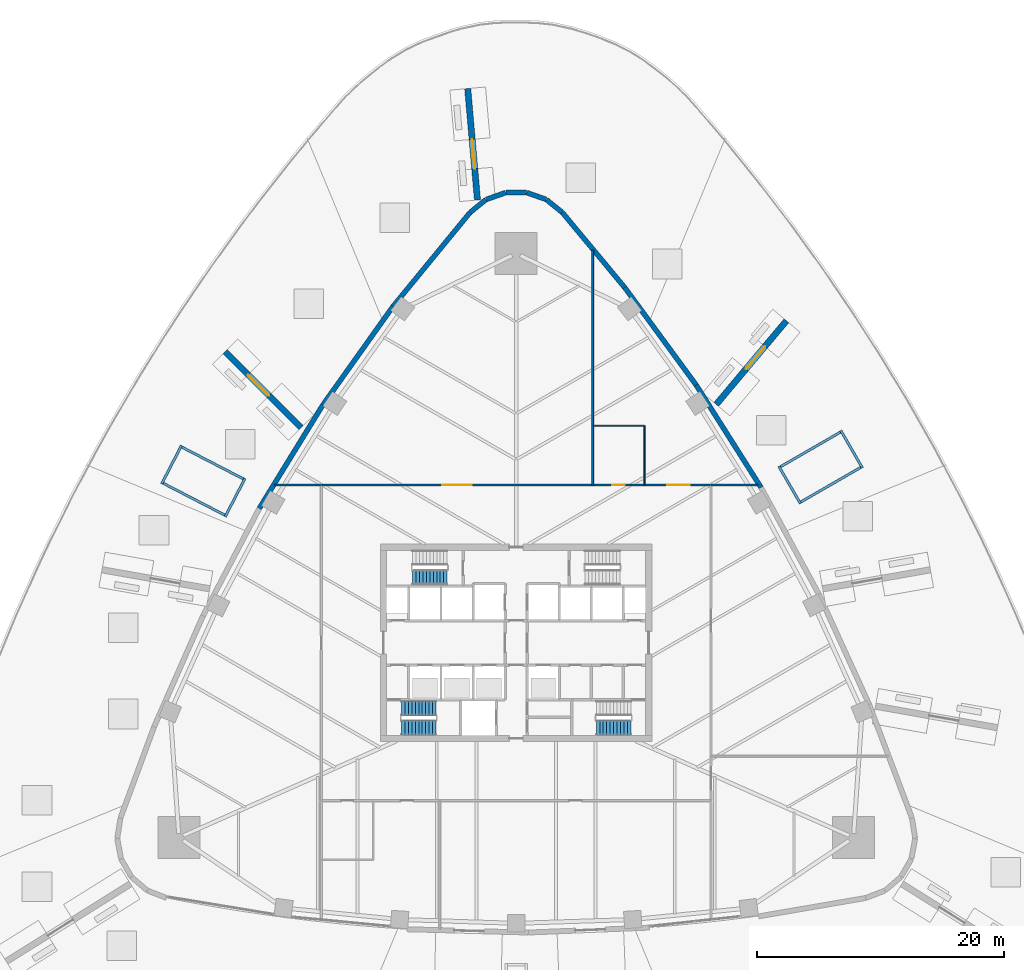
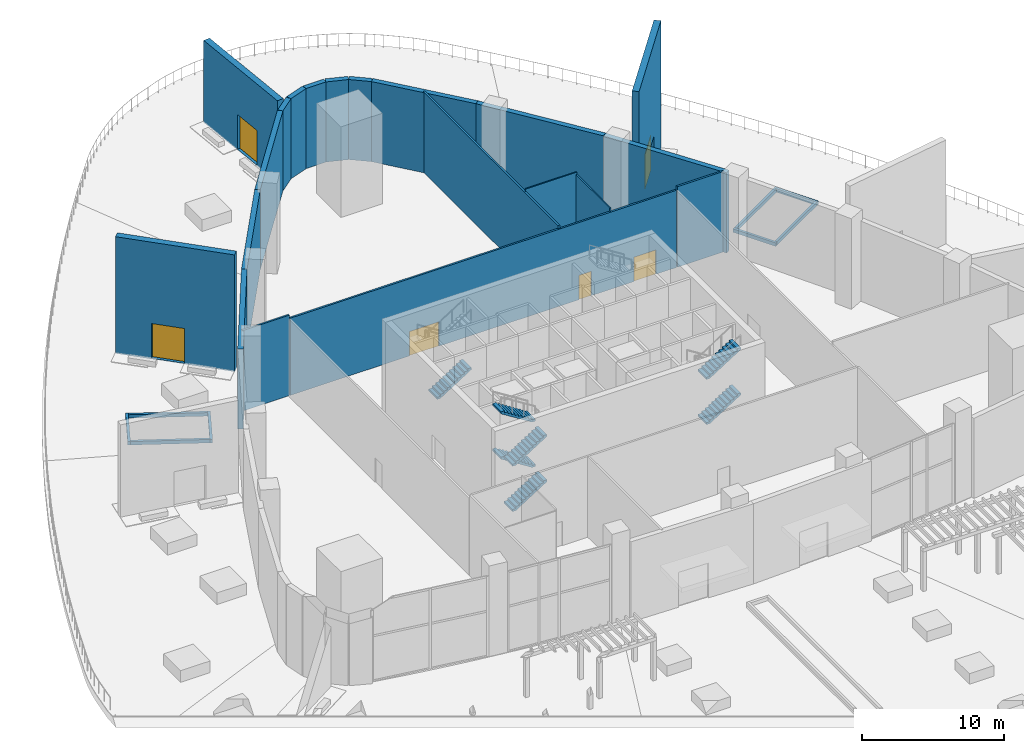
# One storey, part 12 of 20: 28 walls, 7 stair flights, 6 doors, 6 openings, 3 elements without a shape of their own.
"""IFC4 building model written with IfcOpenShell, lengths in metres."""

import ifcopenshell
import ifcopenshell.guid

model = None  # the IFC model being written
_history = None  # IfcOwnerHistory: only IFC2X3 demands one
_inside = {}  # id of a spatial element -> (the spatial element, [elements in it])
_under = {}  # id of a project, library or spatial element -> (it, [spatial elements below it])
_declared = {}  # id of a project -> (the project, [libraries it declares])
_typed = {}  # id of a type object -> (the type object, [elements of that type])
_made_of = {}  # id of a material, layer set ... -> (it, [elements and type objects made of it])


def new_model(schema):
    """Start an empty IFC model of exactly this schema.

    Asked for "IFC4X3", IfcOpenShell would pick the latest addendum, in which some entities
    have other attributes; the version numbers below select the first issue.
    IFC2X3 requires an IfcOwnerHistory on every rooted entity: one is made here for all.
    """
    global model, _history
    if schema == "IFC4X3":
        model = ifcopenshell.file(schema_version=(4, 3, 0, 0))
    else:
        model = ifcopenshell.file(schema=schema)
    _inside.clear()
    _under.clear()
    _declared.clear()
    _typed.clear()
    _made_of.clear()
    _history = None
    if model.schema == "IFC2X3":
        org = make("IfcOrganization", Name="unknown")
        user = make(
            "IfcPersonAndOrganization",
            ThePerson=make("IfcPerson", FamilyName="unknown"),
            TheOrganization=org,
        )
        app = make(
            "IfcApplication",
            ApplicationDeveloper=org,
            Version="unknown",
            ApplicationFullName="unknown",
            ApplicationIdentifier="unknown",
        )
        _history = make(
            "IfcOwnerHistory",
            OwningUser=user,
            OwningApplication=app,
            ChangeAction="ADDED",
            CreationDate=0,
        )
    return model


def make(cls, **values):
    """One entity of the class cls with the attributes given. An attribute that is None is left unset."""
    return model.create_entity(
        cls, **{name: value for name, value in values.items() if value is not None}
    )


def rooted(cls, **values):
    """An entity with a GlobalId (a new one), such as an element, a storey or a relation."""
    return make(cls, GlobalId=ifcopenshell.guid.new(), OwnerHistory=_history, **values)


def si_unit(unit_type, name, prefix=None):
    """IfcSIUnit, for example si_unit("LENGTHUNIT", "METRE", prefix="MILLI")."""
    return make("IfcSIUnit", UnitType=unit_type, Prefix=prefix, Name=name)


def assignment(units):
    """IfcUnitAssignment: the units of a project."""
    return None if units is None else make("IfcUnitAssignment", Units=units)


def point(xyz):
    """IfcCartesianPoint."""
    return None if xyz is None else make("IfcCartesianPoint", Coordinates=xyz)


def direction(xyz):
    """IfcDirection."""
    return None if xyz is None else make("IfcDirection", DirectionRatios=xyz)


def frame(location, z_axis=None, x_axis=None):
    """IfcAxis2Placement3D, a coordinate frame: its origin and axes. An axis left out is left unset."""
    return make(
        "IfcAxis2Placement3D",
        Location=point(location),
        Axis=direction(z_axis),
        RefDirection=direction(x_axis),
    )


def frame_2d(location, x_axis=None):
    """IfcAxis2Placement2D, a coordinate frame in the plane: its origin and x axis."""
    return make(
        "IfcAxis2Placement2D", Location=point(location), RefDirection=direction(x_axis)
    )


def origin():
    """The frame at (0, 0, 0) with its axes left unset."""
    return frame((0.0, 0.0, 0.0))


def place(relative_to, where):
    """IfcLocalPlacement: puts the frame where relative to a parent placement (None: the world)."""
    return make(
        "IfcLocalPlacement", PlacementRelTo=relative_to, RelativePlacement=where
    )


def context(
    kind, dimensions, precision=None, world=None, true_north=None, identifier=None
):
    """IfcGeometricRepresentationContext, for example the 3D "Model" context."""
    return make(
        "IfcGeometricRepresentationContext",
        ContextIdentifier=identifier,
        ContextType=kind,
        CoordinateSpaceDimension=dimensions,
        Precision=precision,
        WorldCoordinateSystem=world,
        TrueNorth=true_north,
    )


def subcontext(parent, identifier, kind, view, scale=None):
    """IfcGeometricRepresentationSubContext, for example "Body" below "Model"."""
    return make(
        "IfcGeometricRepresentationSubContext",
        ContextIdentifier=identifier,
        ContextType=kind,
        ParentContext=parent,
        TargetScale=scale,
        TargetView=view,
    )


def project(units=None, contexts=None):
    """IfcProject with its units and contexts."""
    return rooted(
        "IfcProject",
        Name="project",
        RepresentationContexts=contexts,
        UnitsInContext=assignment(units),
    )


def spatial(cls, under=None, at=None, **own):
    """A site, building, storey or space (cls), placed at a placement, below another one or the project."""
    s = rooted(cls, ObjectPlacement=at, **own)
    if under is not None:
        _under.setdefault(under.id(), (under, []))[1].append(s)
    return s


def polyline(points):
    """IfcPolyline through the points."""
    return make("IfcPolyline", Points=[point(p) for p in points])


def profile(cls, at=None, kind="AREA", **sizes):
    """A parametric profile (cls). Its sizes go by their IFC names, for example OverallWidth=200.0."""
    return make(cls, ProfileType=kind, Position=at, **sizes)


def rectangle(**sizes):
    """IfcRectangleProfileDef."""
    return profile("IfcRectangleProfileDef", **sizes)


def outline(outer, holes=None, kind="AREA"):
    """IfcArbitraryClosedProfileDef: a profile drawn as a closed curve; with holes, ...WithVoids."""
    if holes is None:
        return make("IfcArbitraryClosedProfileDef", ProfileType=kind, OuterCurve=outer)
    return make(
        "IfcArbitraryProfileDefWithVoids",
        ProfileType=kind,
        OuterCurve=outer,
        InnerCurves=holes,
    )


def extrude(swept, where, along, depth):
    """IfcExtrudedAreaSolid: the profile swept, set in the frame where, extruded along a direction by depth."""
    return make(
        "IfcExtrudedAreaSolid",
        SweptArea=swept,
        Position=where,
        ExtrudedDirection=direction(along),
        Depth=depth,
    )


def shape(context_of_items, identifier, shape_type, items):
    """IfcShapeRepresentation: the items that make up one representation, for example the "Body"."""
    return make(
        "IfcShapeRepresentation",
        ContextOfItems=context_of_items,
        RepresentationIdentifier=identifier,
        RepresentationType=shape_type,
        Items=items,
    )


def material(Name=None, Category=None):
    """IfcMaterial."""
    return make("IfcMaterial", Name=Name, Category=Category)


def layer(
    of_material, thickness, ventilated=None, Name=None, Category=None, Priority=None
):
    """IfcMaterialLayer: one layer of a wall or slab, of a material (None: an air gap)."""
    return make(
        "IfcMaterialLayer",
        Material=of_material,
        LayerThickness=thickness,
        IsVentilated=ventilated,
        Name=Name,
        Category=Category,
        Priority=Priority,
    )


def layer_set(layers, Name=None):
    """IfcMaterialLayerSet."""
    return make("IfcMaterialLayerSet", MaterialLayers=layers, LayerSetName=Name)


def made_of(thing, what):
    """Note that an element or type object is made of a material, layer set ...; save() writes the relation."""
    if what is not None:
        _made_of.setdefault(what.id(), (what, []))[1].append(thing)
    return thing


def type_object(cls, material=None, **own):
    """A type object (cls), such as IfcWallType, which elements share."""
    return made_of(rooted(cls, **own), material)


def element(
    cls,
    number,
    at=None,
    inside=None,
    cuts=None,
    type_object=None,
    material=None,
    context=None,
    identifier="Body",
    shape_type=None,
    held_by="IfcProductDefinitionShape",
    body=None,
    shapes=None,
    **own,
):
    """One element of the class cls, such as IfcWall. Its Tag is "e" and its number.

    at: its placement. inside: the storey or other place that contains it. cuts: it is an
    opening in that element (IfcRelVoidsElement). A single representation is given by context,
    identifier, shape_type and body (its items); several are given by shapes. held_by: the class
    of the entity that holds the representations. save() writes the other relations.
    """
    e = rooted(cls, Tag="e%d" % number, ObjectPlacement=at, **own)
    if body is not None:
        shapes = [shape(context, identifier, shape_type, body)]
    if shapes is not None:
        e.Representation = make(held_by, Representations=shapes)
    if inside is not None:
        _inside.setdefault(inside.id(), (inside, []))[1].append(e)
    if cuts is not None:
        rooted(
            "IfcRelVoidsElement", RelatingBuildingElement=cuts, RelatedOpeningElement=e
        )
    if type_object is not None:
        _typed.setdefault(type_object.id(), (type_object, []))[1].append(e)
    return made_of(e, material)


def fill(opening, filler):
    """IfcRelFillsElement: the door or window that sits in an opening."""
    return rooted(
        "IfcRelFillsElement",
        RelatingOpeningElement=opening,
        RelatedBuildingElement=filler,
    )


def aggregate(whole, parts):
    """IfcRelAggregates: a whole, such as a stair, and the parts it consists of."""
    return rooted("IfcRelAggregates", RelatingObject=whole, RelatedObjects=parts)


def save(model, path):
    """Write the relations noted so far, then the file.

    IfcRelAggregates (storeys below a building ...), IfcRelContainedInSpatialStructure (elements
    in a storey), IfcRelDefinesByType, IfcRelAssociatesMaterial and IfcRelDeclares: one each for
    every whole, place, type object, material and project.
    """
    for whole, parts in _under.values():
        aggregate(whole, parts)
    for where, things in _inside.values():
        rooted(
            "IfcRelContainedInSpatialStructure",
            RelatedElements=things,
            RelatingStructure=where,
        )
    for kind, things in _typed.values():
        rooted("IfcRelDefinesByType", RelatedObjects=things, RelatingType=kind)
    for what, things in _made_of.values():
        rooted("IfcRelAssociatesMaterial", RelatedObjects=things, RelatingMaterial=what)
    for by, libraries in _declared.values():
        rooted("IfcRelDeclares", RelatingContext=by, RelatedDefinitions=libraries)
    model.write(path)


model = new_model("IFC4")

# Units and contexts
model_context = context("Model", 3, precision=1e-05, world=origin(), true_north=direction((0.0, 1.0)))
body_context = subcontext(model_context, "Body", "Model", "MODEL_VIEW")
ifc_project = project(units=[si_unit("LENGTHUNIT", "METRE"), si_unit("AREAUNIT", "SQUARE_METRE"), si_unit("VOLUMEUNIT", "CUBIC_METRE"), si_unit("PLANEANGLEUNIT", "RADIAN"), si_unit("MASSUNIT", "GRAM", prefix="KILO")], contexts=[model_context])

# Site, building, storey
site_placement = place(None, origin())
site = spatial("IfcSite", under=ifc_project, at=site_placement, CompositionType="ELEMENT")
building_placement = place(site_placement, origin())
building = spatial("IfcBuilding", under=site, at=building_placement, Name="Sierra Prisma Convention Tower", CompositionType="ELEMENT")
storey_placement = place(building_placement, frame((0.0, 0.0, 9.0)))
storey = spatial("IfcBuildingStorey", under=building, at=storey_placement, Name="L01", CompositionType="ELEMENT", Elevation=9.0)

# Walls
ifc_material_1 = material(Name="Concrete C30/37, ochre plaster finish", Category="concrete")
ifc_layer_1 = layer(ifc_material_1, 0.199951171875)
ifc_layer_set_1 = layer_set([ifc_layer_1], Name="Basin kerb wall 200")
wall_type_1 = type_object("IfcWallType", Name="Basin kerb wall 200", PredefinedType="STANDARD", material=ifc_layer_set_1)
wall_1_placement = place(storey_placement, frame((28.07568359375, 14.189208984375, 0.179931640625), z_axis=(0.0, 0.0, 1.0), x_axis=(-0.500010275428, 0.866019471182, 0.0)))
element("IfcWall", 1, at=wall_1_placement, inside=storey, type_object=wall_type_1, Name="Water mirror kerb 2.1", PredefinedType="STANDARD", context=body_context, shape_type="SweptSolid", body=[
    extrude(rectangle(XDim=3.5, YDim=0.199951171875, at=frame_2d((1.75, 0.0))), origin(), (0.0, 0.0, 1.0), 0.300048828125),
])
wall_2_placement = place(storey_placement, frame((26.289306640625, 17.08349609375, 0.179931640625), z_axis=(0.0, 0.0, 1.0), x_axis=(-0.866026594901, -0.49999793692, 0.0)))
element("IfcWall", 2, at=wall_2_placement, inside=storey, type_object=wall_type_1, Name="Water mirror kerb 2.2", PredefinedType="STANDARD", context=body_context, shape_type="SweptSolid", body=[
    extrude(rectangle(XDim=5.60009765625, YDim=0.199951171875, at=frame_2d((2.800048828125, 0.0))), origin(), (0.0, 0.0, 1.0), 0.300048828125),
])
wall_3_placement = place(storey_placement, frame((21.302734375, 14.320068359375, 0.179931640625), z_axis=(0.0, 0.0, 1.0), x_axis=(0.500062588897, -0.865989265052, 0.0)))
element("IfcWall", 3, at=wall_3_placement, inside=storey, type_object=wall_type_1, Name="Water mirror kerb 2.3", PredefinedType="STANDARD", context=body_context, shape_type="SweptSolid", body=[
    extrude(rectangle(XDim=3.5, YDim=0.199951171875, at=frame_2d((1.75, 0.0))), origin(), (0.0, 0.0, 1.0), 0.300048828125),
])
wall_4_placement = place(storey_placement, frame((23.089599609375, 11.42578125, 0.179931640625), z_axis=(0.0, 0.0, 1.0), x_axis=(0.866034573852, 0.49998411664, 0.0)))
element("IfcWall", 4, at=wall_4_placement, inside=storey, type_object=wall_type_1, Name="Water mirror kerb 2.4", PredefinedType="STANDARD", context=body_context, shape_type="SweptSolid", body=[
    extrude(rectangle(XDim=5.599853515625, YDim=0.199951171875, at=frame_2d((2.7998046875, 0.0))), origin(), (0.0, 0.0, 1.0), 0.300048828125),
])
wall_5_placement = place(storey_placement, frame((-27.147216796875, 16.001953125, 0.179931640625), z_axis=(0.0, 0.0, 1.0), x_axis=(-0.459143931613, -0.888361891384, 0.0)))
element("IfcWall", 5, at=wall_5_placement, inside=storey, type_object=wall_type_1, Name="Water mirror kerb 3.1", PredefinedType="STANDARD", context=body_context, shape_type="SweptSolid", body=[
    extrude(rectangle(XDim=3.499755859375, YDim=0.199951171875, at=frame_2d((1.75, 0.0))), origin(), (0.0, 0.0, 1.0), 0.300048828125),
])
wall_6_placement = place(storey_placement, frame((-28.619384765625, 12.935791015625, 0.179931640625), z_axis=(0.0, 0.0, 1.0), x_axis=(0.88832988063, -0.459205861439, 0.0)))
element("IfcWall", 6, at=wall_6_placement, inside=storey, type_object=wall_type_1, Name="Water mirror kerb 3.2", PredefinedType="STANDARD", context=body_context, shape_type="SweptSolid", body=[
    extrude(rectangle(XDim=5.599853515625, YDim=0.199951171875, at=frame_2d((2.7998046875, 0.0))), origin(), (0.0, 0.0, 1.0), 0.300048828125),
])
wall_7_placement = place(storey_placement, frame((-23.601806640625, 10.2294921875, 0.179931640625), z_axis=(0.0, 0.0, 1.0), x_axis=(0.459170527507, 0.888348144969, 0.0)))
element("IfcWall", 7, at=wall_7_placement, inside=storey, type_object=wall_type_1, Name="Water mirror kerb 3.3", PredefinedType="STANDARD", context=body_context, shape_type="SweptSolid", body=[
    extrude(rectangle(XDim=3.500244140625, YDim=0.199951171875, at=frame_2d((1.75, 0.0))), origin(), (0.0, 0.0, 1.0), 0.300048828125),
])
wall_8_placement = place(storey_placement, frame((-22.12939453125, 13.2958984375, 0.179931640625), z_axis=(0.0, 0.0, 1.0), x_axis=(-0.888356856177, 0.459153673713, 0.0)))
element("IfcWall", 8, at=wall_8_placement, inside=storey, type_object=wall_type_1, Name="Water mirror kerb 3.4", PredefinedType="STANDARD", context=body_context, shape_type="SweptSolid", body=[
    extrude(rectangle(XDim=5.60009765625, YDim=0.199951171875, at=frame_2d((2.800048828125, 0.0))), origin(), (0.0, 0.0, 1.0), 0.300048828125),
])
ifc_material_2 = material(Name="Gypsum board partition", Category="gypsum")
ifc_layer_2 = layer(ifc_material_2, 0.10009765625)
ifc_layer_set_2 = layer_set([ifc_layer_2], Name="Bathroom partition 100")
wall_type_2 = type_object("IfcWallType", Name="Bathroom partition 100", PredefinedType="PARTITIONING", material=ifc_layer_set_2)
wall_9_placement = place(storey_placement, frame((6.22998046875, 17.60009765625, 0.0), z_axis=(0.0, 0.0, 1.0), x_axis=(1.0, 0.0, 0.0)))
element("IfcWall", 9, at=wall_9_placement, inside=storey, type_object=wall_type_2, Name="Partition L01 bath 3", PredefinedType="PARTITIONING", context=body_context, shape_type="SweptSolid", body=[
    extrude(rectangle(XDim=4.169921875, YDim=0.10009765625, at=frame_2d((2.0849609375, 0.0))), origin(), (0.0, 0.0, 1.0), 7.14990234375),
])
wall_10_placement = place(storey_placement, frame((10.39990234375, 17.60009765625, 0.0), z_axis=(0.0, 0.0, 1.0), x_axis=(0.0, -1.0, 0.0)))
element("IfcWall", 10, at=wall_10_placement, inside=storey, type_object=wall_type_2, Name="Partition L01 bath 4", PredefinedType="PARTITIONING", context=body_context, shape_type="SweptSolid", body=[
    extrude(rectangle(XDim=4.77001953125, YDim=0.10009765625, at=frame_2d((2.385009765625, 0.0))), origin(), (0.0, 0.0, 1.0), 6.947021484375),
])

# Wall, openings, doors
ifc_material_3 = material(Name="Gypsum board partition", Category="gypsum")
ifc_layer_3 = layer(ifc_material_3, 0.14990234375)
ifc_layer_set_3 = layer_set([ifc_layer_3], Name="Corridor wall 150 gypsum EI 60")
wall_type_3 = type_object("IfcWallType", Name="Corridor wall 150 gypsum EI 60", PredefinedType="PARTITIONING", material=ifc_layer_set_3)
wall_11_placement = place(storey_placement, frame((15.719970703125, 12.800048828125, 0.0), z_axis=(0.0, 0.0, 1.0), x_axis=(-1.0, 0.0, 0.0)))
wall_11 = element("IfcWall", 11, at=wall_11_placement, inside=storey, type_object=wall_type_3, Name="Partition L01 corr 3", PredefinedType="PARTITIONING", context=body_context, shape_type="SweptSolid", body=[
    extrude(rectangle(XDim=31.43994140625, YDim=0.14990234375, at=frame_2d((15.719970703125, 0.0))), origin(), (0.0, 0.0, 1.0), 6.64697265625),
])
opening_1_placement = place(wall_11_placement, frame((6.919921875, 0.0, 0.0)))
opening_1 = element("IfcOpeningElement", 12, at=opening_1_placement, cuts=wall_11, Name="Opening L01-D024", PredefinedType="OPENING", context=body_context, shape_type="SweptSolid", body=[
    extrude(rectangle(XDim=1.0, YDim=2.10009765625, at=frame_2d((0.5, 1.050048828125))), frame((0.0, 0.074951171875, 0.0), z_axis=(0.0, -1.0, 0.0), x_axis=(1.0, 0.0, 0.0)), (0.0, 0.0, 1.0), 0.14990234375),
])
opening_2_placement = place(wall_11_placement, frame((1.659912109375, 0.0, 0.0)))
opening_2 = element("IfcOpeningElement", 13, at=opening_2_placement, cuts=wall_11, Name="Opening L01-D025", PredefinedType="OPENING", context=body_context, shape_type="SweptSolid", body=[
    extrude(rectangle(XDim=1.800048828125, YDim=2.10009765625, at=frame_2d((0.89990234375, 1.050048828125))), frame((0.0, 0.074951171875, 0.0), z_axis=(0.0, -1.0, 0.0), x_axis=(1.0, 0.0, 0.0)), (0.0, 0.0, 1.0), 0.14990234375),
])
opening_3_placement = place(wall_11_placement, frame((19.330078125, 0.0, 0.0)))
opening_3 = element("IfcOpeningElement", 14, at=opening_3_placement, cuts=wall_11, Name="Opening L01-D026", PredefinedType="OPENING", context=body_context, shape_type="SweptSolid", body=[
    extrude(rectangle(XDim=2.39990234375, YDim=2.10009765625, at=frame_2d((1.199951171875, 1.050048828125))), frame((0.0, 0.074951171875, 0.0), z_axis=(0.0, -1.0, 0.0), x_axis=(1.0, 0.0, 0.0)), (0.0, 0.0, 1.0), 0.14990234375),
])
ifc_material_4 = material(Name="Steel fire door leaf", Category="steel")
door_type_1 = type_object("IfcDoorType", Name="Door 1000x2100 FD30S", OperationType="SINGLE_SWING_LEFT", PredefinedType="DOOR", material=ifc_material_4)
door_1_placement = place(opening_1_placement, origin())
door_1 = element("IfcDoor", 15, at=door_1_placement, inside=storey, type_object=door_type_1, Name="Door L01 1", OperationType="SINGLE_SWING_LEFT", OverallHeight=2.10009765625, OverallWidth=1.0, PredefinedType="DOOR", context=body_context, shape_type="SweptSolid", body=[
    extrude(rectangle(XDim=1.0, YDim=2.10009765625, at=frame_2d((0.5, 1.050048828125))), frame((0.0, 0.02490234375, 0.0), z_axis=(0.0, -1.0, 0.0), x_axis=(1.0, 0.0, 0.0)), (0.0, 0.0, 1.0), 0.050048828125),
])
fill(opening_1, door_1)
ifc_material_5 = material(Name="Steel fire door leaf", Category="steel")
door_type_2 = type_object("IfcDoorType", Name="Door 1800x2100 FD30S", OperationType="DOUBLE_DOOR_SINGLE_SWING", PredefinedType="DOOR", material=ifc_material_5)
door_2_placement = place(opening_2_placement, origin())
door_2 = element("IfcDoor", 16, at=door_2_placement, inside=storey, type_object=door_type_2, Name="Door L01 2", OperationType="DOUBLE_DOOR_SINGLE_SWING", OverallHeight=2.10009765625, OverallWidth=1.800048828125, PredefinedType="DOOR", context=body_context, shape_type="SweptSolid", body=[
    extrude(rectangle(XDim=1.800048828125, YDim=2.10009765625, at=frame_2d((0.89990234375, 1.050048828125))), frame((0.0, 0.02490234375, 0.0), z_axis=(0.0, -1.0, 0.0), x_axis=(1.0, 0.0, 0.0)), (0.0, 0.0, 1.0), 0.050048828125),
])
fill(opening_2, door_2)
ifc_material_6 = material(Name="Steel fire door leaf", Category="steel")
door_type_3 = type_object("IfcDoorType", Name="Door 2400x2100 FD30S", OperationType="DOUBLE_DOOR_SINGLE_SWING", PredefinedType="DOOR", material=ifc_material_6)
door_3_placement = place(opening_3_placement, origin())
door_3 = element("IfcDoor", 17, at=door_3_placement, inside=storey, type_object=door_type_3, Name="Door L01 3", OperationType="DOUBLE_DOOR_SINGLE_SWING", OverallHeight=2.10009765625, OverallWidth=2.39990234375, PredefinedType="DOOR", context=body_context, shape_type="SweptSolid", body=[
    extrude(rectangle(XDim=2.39990234375, YDim=2.10009765625, at=frame_2d((1.199951171875, 1.050048828125))), frame((0.0, 0.02490234375, 0.0), z_axis=(0.0, -1.0, 0.0), x_axis=(1.0, 0.0, 0.0)), (0.0, 0.0, 1.0), 0.050048828125),
])
fill(opening_3, door_3)

# Wall, opening, door
ifc_material_7 = material(Name="Concrete C35/45, ochre plaster finish", Category="concrete")
ifc_layer_4 = layer(ifc_material_7, 0.5)
ifc_layer_set_4 = layer_set([ifc_layer_4], Name="Ochre garden wall 500")
wall_type_4 = type_object("IfcWallType", Name="Ochre garden wall 500", PredefinedType="STANDARD", material=ifc_layer_set_4)
wall_12_placement = place(storey_placement, frame((16.225341796875, 19.336669921875, -0.06005859375), z_axis=(0.0, 0.0, 1.0), x_axis=(0.642781408988, 0.76604964608, 0.0)))
wall_12 = element("IfcWall", 18, at=wall_12_placement, inside=storey, type_object=wall_type_4, Name="Garden wall 2", PredefinedType="STANDARD", context=body_context, shape_type="SweptSolid", body=[
    extrude(rectangle(XDim=8.85498046875, YDim=0.5, at=frame_2d((4.427490234375, 0.0))), origin(), (0.0, 0.0, 1.0), 11.06005859375),
])
opening_4_placement = place(wall_12_placement, frame((3.743896484375, 0.0, 0.06005859375)))
opening_4 = element("IfcOpeningElement", 19, at=opening_4_placement, cuts=wall_12, Name="Opening L01-D038", PredefinedType="OPENING", context=body_context, shape_type="SweptSolid", body=[
    extrude(rectangle(XDim=2.39990234375, YDim=3.0, at=frame_2d((1.199951171875, 1.5))), frame((0.0, 0.25, 0.0), z_axis=(0.0, -1.0, 0.0), x_axis=(1.0, 0.0, 0.0)), (0.0, 0.0, 1.0), 0.5),
])
ifc_material_8 = material(Name="Bronze anodised aluminium and glass", Category="aluminium")
door_type_4 = type_object("IfcDoorType", Name="Garden door double 2400 x 3000", OperationType="DOUBLE_DOOR_SINGLE_SWING", PredefinedType="DOOR", material=ifc_material_8)
door_4_placement = place(opening_4_placement, origin())
door_4 = element("IfcDoor", 20, at=door_4_placement, inside=storey, type_object=door_type_4, Name="Garden door", OperationType="DOUBLE_DOOR_SINGLE_SWING", OverallHeight=3.0, OverallWidth=2.39990234375, PredefinedType="DOOR", context=body_context, shape_type="SweptSolid", body=[
    extrude(rectangle(XDim=2.39990234375, YDim=3.0, at=frame_2d((1.199951171875, 1.5))), frame((0.0, 0.02490234375, 0.0), z_axis=(0.0, -1.0, 0.0), x_axis=(1.0, 0.0, 0.0)), (0.0, 0.0, 1.0), 0.050048828125),
])
fill(opening_4, door_4)

# Walls
ifc_material_9 = material(Name="Gypsum board partition", Category="gypsum")
ifc_layer_5 = layer(ifc_material_9, 0.14990234375)
ifc_layer_set_5 = layer_set([ifc_layer_5], Name="Party wall 150 gypsum")
wall_type_5 = type_object("IfcWallType", Name="Party wall 150 gypsum", PredefinedType="PARTITIONING", material=ifc_layer_set_5)
wall_13_placement = place(storey_placement, frame((-15.800048828125, 12.800048828125, 0.0), z_axis=(0.0, 0.0, 1.0), x_axis=(-1.0, 0.0, 0.0)))
element("IfcWall", 21, at=wall_13_placement, inside=storey, type_object=wall_type_5, Name="Partition L01 party 1", PredefinedType="PARTITIONING", context=body_context, shape_type="SweptSolid", body=[
    extrude(rectangle(XDim=3.798095703125, YDim=0.14990234375, at=frame_2d((1.89892578125, 0.0))), origin(), (0.0, 0.0, 1.0), 6.93408203125),
])
wall_14_placement = place(storey_placement, frame((6.199951171875, 12.800048828125, 0.0), z_axis=(0.0, 0.0, 1.0), x_axis=(0.0, 1.0, 0.0)))
element("IfcWall", 22, at=wall_14_placement, inside=storey, type_object=wall_type_5, Name="Partition L01 party 4", PredefinedType="PARTITIONING", context=body_context, shape_type="SweptSolid", body=[
    extrude(rectangle(XDim=19.04345703125, YDim=0.14990234375, at=frame_2d((9.521728515625, 0.0))), origin(), (0.0, 0.0, 1.0), 6.93408203125),
])
wall_15_placement = place(storey_placement, frame((19.59814453125, 12.800048828125, 0.0), z_axis=(0.0, 0.0, 1.0), x_axis=(-1.0, 0.0, 0.0)))
element("IfcWall", 23, at=wall_15_placement, inside=storey, type_object=wall_type_5, Name="Partition L01 party 7", PredefinedType="PARTITIONING", context=body_context, shape_type="SweptSolid", body=[
    extrude(rectangle(XDim=3.798095703125, YDim=0.14990234375, at=frame_2d((1.89892578125, 0.0))), origin(), (0.0, 0.0, 1.0), 6.93408203125),
])
ifc_material_10 = material(Name="Concrete C40/50, terracotta plaster finish", Category="masonry")
ifc_layer_6 = layer(ifc_material_10, 0.39990234375)
ifc_layer_set_6 = layer_set([ifc_layer_6], Name="Podium plastered wall 400")
wall_type_6 = type_object("IfcWallType", Name="Podium plastered wall 400", PredefinedType="STANDARD", material=ifc_layer_set_6)
for number, where, z_axis, x_axis, name in (
    (24, (14.599365234375, 20.904541015625, 0.0), (0.0, 0.0, 1.0), (0.534912566476, -0.844907418731, 0.0), "Podium wall L01 8"),
    (25, (8.78759765625, 28.835693359375, 0.0), (0.0, 0.0, 1.0), (0.591085715329, -0.806608750966, 0.0), "Podium wall L01 9"),
):
    element("IfcWall", number, at=place(storey_placement, frame(where, z_axis=z_axis, x_axis=x_axis)), inside=storey, type_object=wall_type_6, Name=name, PredefinedType="STANDARD", context=body_context, shape_type="SweptSolid", body=[
        extrude(rectangle(XDim=9.82568359375, YDim=0.39990234375, at=frame_2d((4.912841796875, 0.0))), origin(), (0.0, 0.0, 1.0), 6.89990234375),
    ])
wall_16_placement = place(storey_placement, frame((3.75, 34.894287109375, 0.0), z_axis=(0.0, 0.0, 1.0), x_axis=(0.639357483443, -0.768909623015, 0.0)))
element("IfcWall", 26, at=wall_16_placement, inside=storey, type_object=wall_type_6, Name="Podium wall L01 10", PredefinedType="STANDARD", context=body_context, shape_type="SweptSolid", body=[
    extrude(rectangle(XDim=7.87353515625, YDim=0.39990234375, at=frame_2d((3.936767578125, 0.0))), origin(), (0.0, 0.0, 1.0), 6.89990234375),
])
wall_17_placement = place(storey_placement, frame((2.455810546875, 35.943115234375, 0.0), z_axis=(0.0, 0.0, 1.0), x_axis=(0.77769018818, -0.628647732207, 0.0)))
element("IfcWall", 27, at=wall_17_placement, inside=storey, type_object=wall_type_6, Name="Podium wall L01 11", PredefinedType="STANDARD", context=body_context, shape_type="SweptSolid", body=[
    extrude(rectangle(XDim=1.646240234375, YDim=0.39990234375, at=frame_2d((0.8232421875, 0.0))), origin(), (0.0, 0.0, 1.0), 6.89990234375),
])
for number, where, z_axis, x_axis, name in (
    (28, (0.86279296875, 36.5126953125, 0.0), (0.0, 0.0, 1.0), (0.942786347799, -0.333397514093, 0.0), "Podium wall L01 12"),
    (29, (-0.829345703125, 36.5185546875, 0.0), (0.0, 0.0, 1.0), (1.0, 0.0, 0.0), "Podium wall L01 13"),
    (30, (-2.426513671875, 35.959716796875, 0.0), (0.0, 0.0, 1.0), (0.942786347799, 0.333397514093, 0.0), "Podium wall L01 14"),
):
    element("IfcWall", number, at=place(storey_placement, frame(where, z_axis=z_axis, x_axis=x_axis)), inside=storey, type_object=wall_type_6, Name=name, PredefinedType="STANDARD", context=body_context, shape_type="SweptSolid", body=[
        extrude(rectangle(XDim=1.65869140625, YDim=0.39990234375, at=frame_2d((0.829345703125, 0.0))), origin(), (0.0, 0.0, 1.0), 6.89990234375),
    ])
wall_18_placement = place(storey_placement, frame((-3.736083984375, 34.908203125, 0.0), z_axis=(0.0, 0.0, 1.0), x_axis=(0.77769018818, 0.628647732207, 0.0)))
element("IfcWall", 31, at=wall_18_placement, inside=storey, type_object=wall_type_6, Name="Podium wall L01 15", PredefinedType="STANDARD", context=body_context, shape_type="SweptSolid", body=[
    extrude(rectangle(XDim=1.646240234375, YDim=0.39990234375, at=frame_2d((0.8232421875, 0.0))), origin(), (0.0, 0.0, 1.0), 6.89990234375),
])
wall_19_placement = place(storey_placement, frame((-9.98876953125, 27.28662109375, 0.0), z_axis=(0.0, 0.0, 1.0), x_axis=(0.634103626557, 0.773248078424, 0.0)))
element("IfcWall", 32, at=wall_19_placement, inside=storey, type_object=wall_type_6, Name="Podium wall L01 16", PredefinedType="STANDARD", context=body_context, shape_type="SweptSolid", body=[
    extrude(rectangle(XDim=9.837890625, YDim=0.39990234375, at=frame_2d((4.9189453125, 0.0))), origin(), (0.0, 0.0, 1.0), 6.89990234375),
])
wall_20_placement = place(storey_placement, frame((-15.6923828125, 19.277587890625, 0.0), z_axis=(0.0, 0.0, 1.0), x_axis=(0.580062373049, 0.814572061498, 0.0)))
element("IfcWall", 33, at=wall_20_placement, inside=storey, type_object=wall_type_6, Name="Podium wall L01 17", PredefinedType="STANDARD", context=body_context, shape_type="SweptSolid", body=[
    extrude(rectangle(XDim=9.82568359375, YDim=0.39990234375, at=frame_2d((4.912841796875, 0.0))), origin(), (0.0, 0.0, 1.0), 6.89990234375),
])
wall_21_placement = place(storey_placement, frame((-20.838623046875, 10.899658203125, 0.0), z_axis=(0.0, 0.0, 1.0), x_axis=(0.523369396098, 0.85210590611, 0.0)))
element("IfcWall", 34, at=wall_21_placement, inside=storey, type_object=wall_type_6, Name="Podium wall L01 18", PredefinedType="STANDARD", context=body_context, shape_type="SweptSolid", body=[
    extrude(rectangle(XDim=9.825439453125, YDim=0.39990234375, at=frame_2d((4.91259765625, 0.0))), origin(), (0.0, 0.0, 1.0), 6.89990234375),
])

# Wall, opening, door
ifc_material_11 = material(Name="Concrete C35/45, sand plaster finish", Category="concrete")
ifc_layer_7 = layer(ifc_material_11, 0.5)
ifc_layer_set_7 = layer_set([ifc_layer_7], Name="Sand garden wall 500")
wall_type_7 = type_object("IfcWallType", Name="Sand garden wall 500", PredefinedType="STANDARD", material=ifc_layer_set_7)
wall_22_placement = place(storey_placement, frame((-17.455322265625, 17.455322265625, -0.06005859375), z_axis=(0.0, 0.0, 1.0), x_axis=(-0.707106781187, 0.707106781187, 0.0)))
wall_22 = element("IfcWall", 35, at=wall_22_placement, inside=storey, type_object=wall_type_7, Name="Garden wall 4", PredefinedType="STANDARD", context=body_context, shape_type="SweptSolid", body=[
    extrude(rectangle(XDim=8.7041015625, YDim=0.5, at=frame_2d((4.35205078125, 0.0))), origin(), (0.0, 0.0, 1.0), 10.06005859375),
])
opening_5_placement = place(wall_22_placement, frame((3.65625, 0.0, 0.06005859375)))
opening_5 = element("IfcOpeningElement", 36, at=opening_5_placement, cuts=wall_22, Name="Opening L01-D040", PredefinedType="OPENING", context=body_context, shape_type="SweptSolid", body=[
    extrude(rectangle(XDim=2.39990234375, YDim=3.0, at=frame_2d((1.199951171875, 1.5))), frame((0.0, 0.25, 0.0), z_axis=(0.0, -1.0, 0.0), x_axis=(1.0, 0.0, 0.0)), (0.0, 0.0, 1.0), 0.5),
])
door_5_placement = place(opening_5_placement, origin())
door_5 = element("IfcDoor", 37, at=door_5_placement, inside=storey, type_object=door_type_4, Name="Garden door", OperationType="DOUBLE_DOOR_SINGLE_SWING", OverallHeight=3.0, OverallWidth=2.39990234375, PredefinedType="DOOR", context=body_context, shape_type="SweptSolid", body=[
    extrude(rectangle(XDim=2.39990234375, YDim=3.0, at=frame_2d((1.199951171875, 1.5))), frame((0.0, 0.02490234375, 0.0), z_axis=(0.0, -1.0, 0.0), x_axis=(1.0, 0.0, 0.0)), (0.0, 0.0, 1.0), 0.050048828125),
])
fill(opening_5, door_5)

ifc_material_12 = material(Name="Concrete C35/45, terracotta plaster finish", Category="masonry")
ifc_layer_8 = layer(ifc_material_12, 0.5)
ifc_layer_set_8 = layer_set([ifc_layer_8], Name="Terracotta garden wall 500")
wall_type_8 = type_object("IfcWallType", Name="Terracotta garden wall 500", PredefinedType="STANDARD", material=ifc_layer_set_8)
wall_23_placement = place(storey_placement, frame((-3.142333984375, 35.916748046875, -0.06005859375), z_axis=(0.0, 0.0, 1.0), x_axis=(-0.087156933132, 0.996194593946, 0.0)))
wall_23 = element("IfcWall", 38, at=wall_23_placement, inside=storey, type_object=wall_type_8, Name="Garden wall 3", PredefinedType="STANDARD", context=body_context, shape_type="SweptSolid", body=[
    extrude(rectangle(XDim=9.070068359375, YDim=0.5, at=frame_2d((4.53515625, 0.0))), origin(), (0.0, 0.0, 1.0), 7.06005859375),
])
opening_6_placement = place(wall_23_placement, frame((2.53466796875, 0.0, 0.06005859375)))
opening_6 = element("IfcOpeningElement", 39, at=opening_6_placement, cuts=wall_23, Name="Opening L01-D039", PredefinedType="OPENING", context=body_context, shape_type="SweptSolid", body=[
    extrude(rectangle(XDim=2.39990234375, YDim=3.0, at=frame_2d((1.199951171875, 1.5))), frame((0.0, 0.25, 0.0), z_axis=(0.0, -1.0, 0.0), x_axis=(1.0, 0.0, 0.0)), (0.0, 0.0, 1.0), 0.5),
])
door_6_placement = place(opening_6_placement, origin())
door_6 = element("IfcDoor", 40, at=door_6_placement, inside=storey, type_object=door_type_4, Name="Garden door", OperationType="DOUBLE_DOOR_SINGLE_SWING", OverallHeight=3.0, OverallWidth=2.39990234375, PredefinedType="DOOR", context=body_context, shape_type="SweptSolid", body=[
    extrude(rectangle(XDim=2.39990234375, YDim=3.0, at=frame_2d((1.199951171875, 1.5))), frame((0.0, 0.02490234375, 0.0), z_axis=(0.0, -1.0, 0.0), x_axis=(1.0, 0.0, 0.0)), (0.0, 0.0, 1.0), 0.050048828125),
])
fill(opening_6, door_6)

# Stair, stair flights
ifc_material_13 = material(Name="Concrete C30/37", Category="concrete")
stair_type = type_object("IfcStairType", Name="Stair dog-leg 1200 RC", PredefinedType="HALF_TURN_STAIR", material=ifc_material_13)
stair_1_placement = place(storey_placement, origin())
stair_1 = element("IfcStair", 41, at=stair_1_placement, inside=storey, type_object=stair_type, Name="L01 S1", PredefinedType="HALF_TURN_STAIR")
ifc_material_14 = material(Name="Concrete C30/37", Category="concrete")
stair_flight_type = type_object("IfcStairFlightType", Name="Stair flight RC 1200", PredefinedType="STRAIGHT", material=ifc_material_14)
stair_flight_1_placement = place(storey_placement, frame((-9.300048828125, -6.89990234375, 0.0), z_axis=(0.0, 0.0, 1.0), x_axis=(1.0, 0.0, 0.0)))
stair_flight_1 = element("IfcStairFlight", 42, at=stair_flight_1_placement, type_object=stair_flight_type, Name="S1 flight 1", NumberOfRisers=11, NumberOfTreads=10, PredefinedType="STRAIGHT", RiserHeight=0.177272727, TreadLength=0.28, context=body_context, shape_type="SweptSolid", body=[
    extrude(outline(polyline([(0.0, 0.0), (0.0, 0.17724609375), (0.280029296875, 0.17724609375), (0.280029296875, 0.3544921875), (0.56005859375, 0.3544921875), (0.56005859375, 0.53173828125), (0.840087890625, 0.53173828125), (0.840087890625, 0.708984375), (1.1201171875, 0.708984375), (1.1201171875, 0.886474609375), (1.39990234375, 0.886474609375), (1.39990234375, 1.063720703125), (1.679931640625, 1.063720703125), (1.679931640625, 1.240966796875), (1.9599609375, 1.240966796875), (1.9599609375, 1.418212890625), (2.239990234375, 1.418212890625), (2.239990234375, 1.595458984375), (2.52001953125, 1.595458984375), (2.52001953125, 1.772705078125), (2.800048828125, 1.772705078125), (2.800048828125, 1.949951171875), (2.800048828125, 1.59521484375), (0.2802734375, 0.0), (0.0, 0.0)])), frame((0.0, 0.60009765625, 0.0), z_axis=(0.0, -1.0, 0.0), x_axis=(1.0, 0.0, 0.0)), (0.0, 0.0, 1.0), 1.199951171875),
])
stair_flight_2_placement = place(storey_placement, frame((-6.5, -5.300048828125, 1.949951171875), z_axis=(0.0, 0.0, 1.0), x_axis=(-1.0, 0.0, 0.0)))
stair_flight_2 = element("IfcStairFlight", 43, at=stair_flight_2_placement, type_object=stair_flight_type, Name="S1 flight 2", NumberOfRisers=11, NumberOfTreads=10, PredefinedType="STRAIGHT", RiserHeight=0.177272727, TreadLength=0.28, context=body_context, shape_type="SweptSolid", body=[
    extrude(outline(polyline([(0.0, 0.0), (0.0, 0.17724609375), (0.280029296875, 0.17724609375), (0.280029296875, 0.3544921875), (0.56005859375, 0.3544921875), (0.56005859375, 0.53173828125), (0.840087890625, 0.53173828125), (0.840087890625, 0.708984375), (1.1201171875, 0.708984375), (1.1201171875, 0.886474609375), (1.39990234375, 0.886474609375), (1.39990234375, 1.063720703125), (1.679931640625, 1.063720703125), (1.679931640625, 1.240966796875), (1.9599609375, 1.240966796875), (1.9599609375, 1.418212890625), (2.239990234375, 1.418212890625), (2.239990234375, 1.595458984375), (2.52001953125, 1.595458984375), (2.52001953125, 1.772705078125), (2.800048828125, 1.772705078125), (2.800048828125, 1.949951171875), (2.800048828125, 1.59521484375), (0.2802734375, 0.0), (0.0, 0.0)])), frame((0.0, 0.60009765625, 0.0), z_axis=(0.0, -1.0, 0.0), x_axis=(1.0, 0.0, 0.0)), (0.0, 0.0, 1.0), 1.199951171875),
])
stair_flight_3_placement = place(storey_placement, frame((-9.300048828125, -6.89990234375, 3.89990234375), z_axis=(0.0, 0.0, 1.0), x_axis=(1.0, 0.0, 0.0)))
stair_flight_3 = element("IfcStairFlight", 44, at=stair_flight_3_placement, type_object=stair_flight_type, Name="S1 flight 3", NumberOfRisers=11, NumberOfTreads=10, PredefinedType="STRAIGHT", RiserHeight=0.177272727, TreadLength=0.28, context=body_context, shape_type="SweptSolid", body=[
    extrude(outline(polyline([(0.0, 0.0), (0.0, 0.17724609375), (0.280029296875, 0.17724609375), (0.280029296875, 0.3544921875), (0.56005859375, 0.3544921875), (0.56005859375, 0.53173828125), (0.840087890625, 0.53173828125), (0.840087890625, 0.708984375), (1.1201171875, 0.708984375), (1.1201171875, 0.886474609375), (1.39990234375, 0.886474609375), (1.39990234375, 1.063720703125), (1.679931640625, 1.063720703125), (1.679931640625, 1.240966796875), (1.9599609375, 1.240966796875), (1.9599609375, 1.418212890625), (2.239990234375, 1.418212890625), (2.239990234375, 1.595458984375), (2.52001953125, 1.595458984375), (2.52001953125, 1.772705078125), (2.800048828125, 1.772705078125), (2.800048828125, 1.949951171875), (2.800048828125, 1.59521484375), (0.2802734375, 0.0), (0.0, 0.0)])), frame((0.0, 0.60009765625, 0.0), z_axis=(0.0, -1.0, 0.0), x_axis=(1.0, 0.0, 0.0)), (0.0, 0.0, 1.0), 1.199951171875),
])
stair_flight_4_placement = place(storey_placement, frame((-6.5, -5.300048828125, 5.85009765625), z_axis=(0.0, 0.0, 1.0), x_axis=(-1.0, 0.0, 0.0)))
stair_flight_4 = element("IfcStairFlight", 45, at=stair_flight_4_placement, type_object=stair_flight_type, Name="S1 flight 4", NumberOfRisers=11, NumberOfTreads=10, PredefinedType="STRAIGHT", RiserHeight=0.177272727, TreadLength=0.28, context=body_context, shape_type="SweptSolid", body=[
    extrude(outline(polyline([(0.0, 0.0), (0.0, 0.17724609375), (0.280029296875, 0.17724609375), (0.280029296875, 0.3544921875), (0.56005859375, 0.3544921875), (0.56005859375, 0.53173828125), (0.840087890625, 0.53173828125), (0.840087890625, 0.708984375), (1.1201171875, 0.708984375), (1.1201171875, 0.886474609375), (1.39990234375, 0.886474609375), (1.39990234375, 1.063720703125), (1.679931640625, 1.063720703125), (1.679931640625, 1.240966796875), (1.9599609375, 1.240966796875), (1.9599609375, 1.418212890625), (2.239990234375, 1.418212890625), (2.239990234375, 1.595458984375), (2.52001953125, 1.595458984375), (2.52001953125, 1.772705078125), (2.800048828125, 1.772705078125), (2.800048828125, 1.949951171875), (2.800048828125, 1.59521484375), (0.2802734375, 0.0), (0.0, 0.0)])), frame((0.0, 0.60009765625, 0.0), z_axis=(0.0, -1.0, 0.0), x_axis=(1.0, 0.0, 0.0)), (0.0, 0.0, 1.0), 1.199951171875),
])
aggregate(stair_1, [stair_flight_1, stair_flight_2, stair_flight_3, stair_flight_4])

stair_2_placement = place(storey_placement, origin())
stair_2 = element("IfcStair", 46, at=stair_2_placement, inside=storey, type_object=stair_type, Name="L01 S2", PredefinedType="HALF_TURN_STAIR")
stair_flight_5_placement = place(storey_placement, frame((6.5, -6.89990234375, 1.949951171875), z_axis=(0.0, 0.0, 1.0), x_axis=(1.0, 0.0, 0.0)))
stair_flight_5 = element("IfcStairFlight", 47, at=stair_flight_5_placement, type_object=stair_flight_type, Name="S2 flight 2", NumberOfRisers=11, NumberOfTreads=10, PredefinedType="STRAIGHT", RiserHeight=0.177272727, TreadLength=0.28, context=body_context, shape_type="SweptSolid", body=[
    extrude(outline(polyline([(0.0, 0.0), (0.0, 0.17724609375), (0.280029296875, 0.17724609375), (0.280029296875, 0.3544921875), (0.56005859375, 0.3544921875), (0.56005859375, 0.53173828125), (0.840087890625, 0.53173828125), (0.840087890625, 0.708984375), (1.1201171875, 0.708984375), (1.1201171875, 0.886474609375), (1.39990234375, 0.886474609375), (1.39990234375, 1.063720703125), (1.679931640625, 1.063720703125), (1.679931640625, 1.240966796875), (1.9599609375, 1.240966796875), (1.9599609375, 1.418212890625), (2.239990234375, 1.418212890625), (2.239990234375, 1.595458984375), (2.52001953125, 1.595458984375), (2.52001953125, 1.772705078125), (2.800048828125, 1.772705078125), (2.800048828125, 1.949951171875), (2.800048828125, 1.59521484375), (0.2802734375, 0.0), (0.0, 0.0)])), frame((0.0, 0.60009765625, 0.0), z_axis=(0.0, -1.0, 0.0), x_axis=(1.0, 0.0, 0.0)), (0.0, 0.0, 1.0), 1.199951171875),
])
stair_flight_6_placement = place(storey_placement, frame((6.5, -6.89990234375, 5.85009765625), z_axis=(0.0, 0.0, 1.0), x_axis=(1.0, 0.0, 0.0)))
stair_flight_6 = element("IfcStairFlight", 48, at=stair_flight_6_placement, type_object=stair_flight_type, Name="S2 flight 4", NumberOfRisers=11, NumberOfTreads=10, PredefinedType="STRAIGHT", RiserHeight=0.177272727, TreadLength=0.28, context=body_context, shape_type="SweptSolid", body=[
    extrude(outline(polyline([(0.0, 0.0), (0.0, 0.17724609375), (0.280029296875, 0.17724609375), (0.280029296875, 0.3544921875), (0.56005859375, 0.3544921875), (0.56005859375, 0.53173828125), (0.840087890625, 0.53173828125), (0.840087890625, 0.708984375), (1.1201171875, 0.708984375), (1.1201171875, 0.886474609375), (1.39990234375, 0.886474609375), (1.39990234375, 1.063720703125), (1.679931640625, 1.063720703125), (1.679931640625, 1.240966796875), (1.9599609375, 1.240966796875), (1.9599609375, 1.418212890625), (2.239990234375, 1.418212890625), (2.239990234375, 1.595458984375), (2.52001953125, 1.595458984375), (2.52001953125, 1.772705078125), (2.800048828125, 1.772705078125), (2.800048828125, 1.949951171875), (2.800048828125, 1.59521484375), (0.2802734375, 0.0), (0.0, 0.0)])), frame((0.0, 0.60009765625, 0.0), z_axis=(0.0, -1.0, 0.0), x_axis=(1.0, 0.0, 0.0)), (0.0, 0.0, 1.0), 1.199951171875),
])
aggregate(stair_2, [stair_flight_5, stair_flight_6])

# Stair, stair flight
stair_3_placement = place(storey_placement, origin())
stair_3 = element("IfcStair", 49, at=stair_3_placement, inside=storey, type_object=stair_type, Name="L01 S3", PredefinedType="HALF_TURN_STAIR")
stair_flight_7_placement = place(storey_placement, frame((-8.39990234375, 5.300048828125, 1.949951171875), z_axis=(0.0, 0.0, 1.0), x_axis=(1.0, 0.0, 0.0)))
stair_flight_7 = element("IfcStairFlight", 50, at=stair_flight_7_placement, type_object=stair_flight_type, Name="S3 flight 2", NumberOfRisers=11, NumberOfTreads=10, PredefinedType="STRAIGHT", RiserHeight=0.177272727, TreadLength=0.28, context=body_context, shape_type="SweptSolid", body=[
    extrude(outline(polyline([(0.0, 0.0), (0.0, 0.17724609375), (0.280029296875, 0.17724609375), (0.280029296875, 0.3544921875), (0.56005859375, 0.3544921875), (0.56005859375, 0.53173828125), (0.840087890625, 0.53173828125), (0.840087890625, 0.708984375), (1.1201171875, 0.708984375), (1.1201171875, 0.886474609375), (1.39990234375, 0.886474609375), (1.39990234375, 1.063720703125), (1.679931640625, 1.063720703125), (1.679931640625, 1.240966796875), (1.9599609375, 1.240966796875), (1.9599609375, 1.418212890625), (2.239990234375, 1.418212890625), (2.239990234375, 1.595458984375), (2.52001953125, 1.595458984375), (2.52001953125, 1.772705078125), (2.800048828125, 1.772705078125), (2.800048828125, 1.949951171875), (2.800048828125, 1.59521484375), (0.2802734375, 0.0), (0.0, 0.0)])), frame((0.0, 0.60009765625, 0.0), z_axis=(0.0, -1.0, 0.0), x_axis=(1.0, 0.0, 0.0)), (0.0, 0.0, 1.0), 1.199951171875),
])
aggregate(stair_3, [stair_flight_7])

save(model, "model.ifc")
